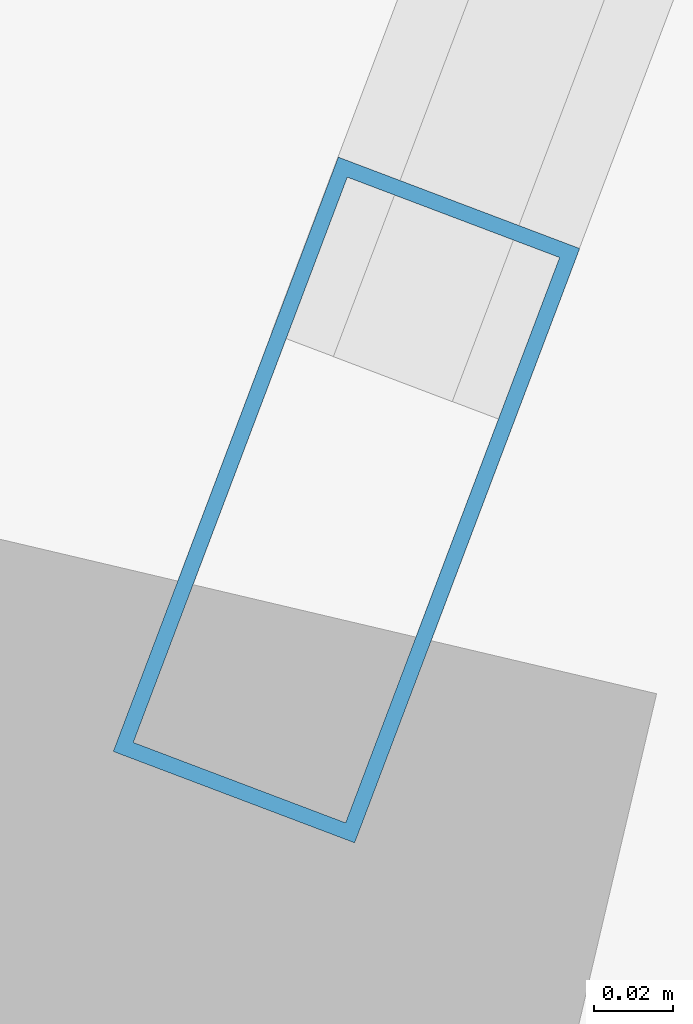
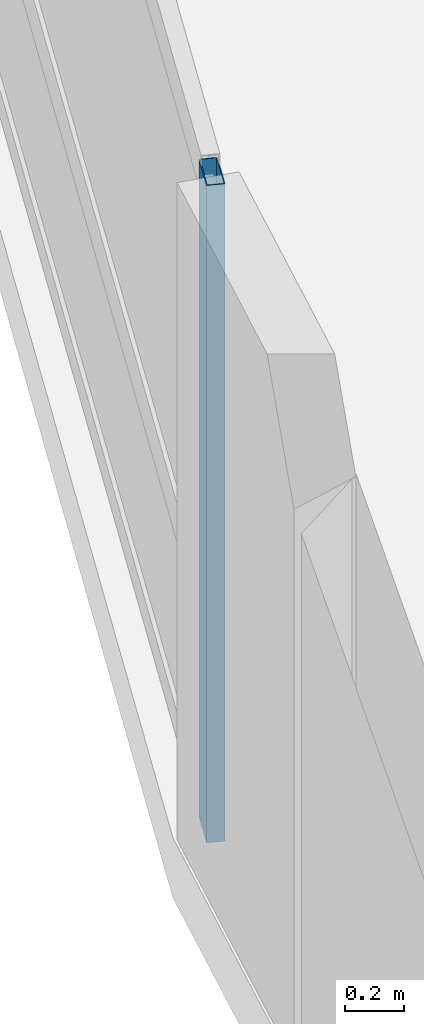
# One storey, part 2 of 26: 1 member, 1 element without a shape of its own.
"""IFC4 building model written with IfcOpenShell, lengths in metres."""

from ifc_helpers import new_model, si_unit, direction, frame, origin, origin_2d, place, context, subcontext, project, spatial, hollow_rectangle, extrude, material, layer, layer_set, material_profile, profile_set, type_object, element, aggregate, save


model = new_model("IFC4")

# Units and contexts
model_context = context("Model", 3, precision=1e-05, world=origin(), true_north=direction((0.0, 1.0)))
body_context = subcontext(model_context, "Body", "Model", "MODEL_VIEW")
ifc_project = project(units=[si_unit("LENGTHUNIT", "METRE"), si_unit("AREAUNIT", "SQUARE_METRE"), si_unit("VOLUMEUNIT", "CUBIC_METRE"), si_unit("PLANEANGLEUNIT", "RADIAN"), si_unit("MASSUNIT", "GRAM", prefix="KILO")], contexts=[model_context])

# Site, building, storey
site_placement = place(None, origin())
site = spatial("IfcSite", under=ifc_project, at=site_placement, CompositionType="ELEMENT")
building_placement = place(site_placement, origin())
building = spatial("IfcBuilding", under=site, at=building_placement, Name="Varnelok Gate Tower", CompositionType="ELEMENT")
storey_placement = place(building_placement, frame((0.0, 0.0, 109.5)))
storey = spatial("IfcBuildingStorey", under=building, at=storey_placement, Name="L27", CompositionType="ELEMENT", Elevation=109.5)

# Curtain wall, member
ifc_material = material(Name="Anodized Aluminum Alloy 6063-T6", Category="aluminium")
ifc_layer = layer(ifc_material, 0.179931640625)
ifc_layer_set = layer_set([ifc_layer], Name="Anodized Aluminum Alloy 6063-T6")
curtain_wall_type = type_object("IfcCurtainWallType", Name="CW3-HOTEL-VISION", PredefinedType="USERDEFINED", material=ifc_layer_set)
curtain_wall_placement = place(storey_placement, origin())
curtain_wall = element("IfcCurtainWall", 1, at=curtain_wall_placement, inside=storey, type_object=curtain_wall_type, Name="L27 West End Vision Curtain Wall", ObjectType="UNITISED CURTAIN WALL", PredefinedType="USERDEFINED")
ifc_material_profile = material_profile(ifc_material, hollow_rectangle(XDim=0.06494140625, YDim=0.159912109375, WallThickness=0.00390625, at=origin_2d()), Name="ALU160X65X4")
ifc_profile_set = profile_set([ifc_material_profile], Name="Anodized Aluminum Alloy 6063-T6")
member_type = type_object("IfcMemberType", Name="CW-MULL-160", PredefinedType="MULLION", material=ifc_profile_set)
member_placement = place(storey_placement, frame((-2.04345703125, 21.59521484375, 0.0), z_axis=(0.0, 0.0, 1.0), x_axis=(-0.935221323688, 0.354063660545, 0.0)))
member = element("IfcMember", 2, at=member_placement, type_object=member_type, Name="CW3 mullion 1", PredefinedType="MULLION", context=body_context, shape_type="SweptSolid", body=[
    extrude(hollow_rectangle(XDim=0.06494140625, YDim=0.159912109375, WallThickness=0.00390625, at=origin_2d()), origin(), (0.0, 0.0, 1.0), 2.72998046875),
])
aggregate(curtain_wall, [member])

save(model, "model.ifc")
